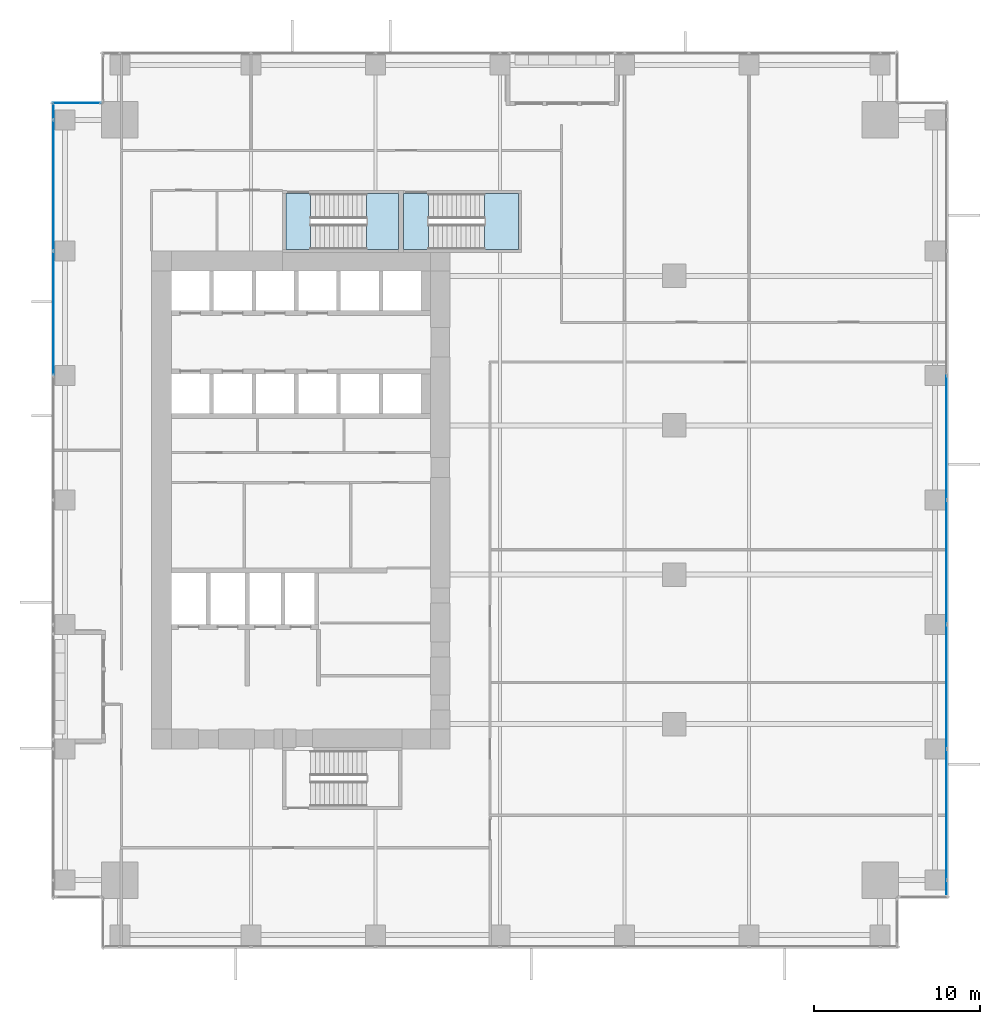
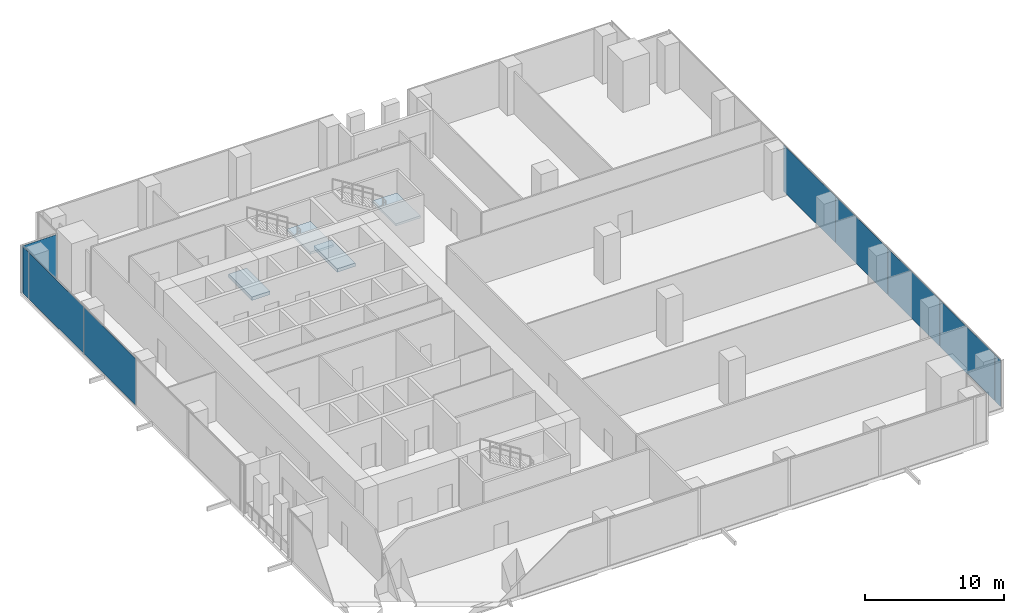
# One storey, part 24 of 33: 9 plates, 4 slabs, 5 elements without a shape of their own.
"""IFC4 building model written with IfcOpenShell, lengths in metres."""

from ifc_helpers import new_model, si_unit, direction, frame, origin, origin_2d, place, context, subcontext, project, spatial, polyline, rectangle, outline, extrude, source, transform, mapped, material, layer, layer_set, type_object, element, aggregate, save


model = new_model("IFC4")

# Units and contexts
model_context = context("Model", 3, precision=1e-05, world=origin(), true_north=direction((0.0, 1.0)))
body_context = subcontext(model_context, "Body", "Model", "MODEL_VIEW")
ifc_project = project(units=[si_unit("LENGTHUNIT", "METRE"), si_unit("AREAUNIT", "SQUARE_METRE"), si_unit("VOLUMEUNIT", "CUBIC_METRE"), si_unit("PLANEANGLEUNIT", "RADIAN"), si_unit("MASSUNIT", "GRAM", prefix="KILO")], contexts=[model_context])

# Site, building, storey
site_placement = place(None, origin())
site = spatial("IfcSite", under=ifc_project, at=site_placement, CompositionType="ELEMENT")
building_placement = place(site_placement, origin())
building = spatial("IfcBuilding", under=site, at=building_placement, Name="Khomas Fold Tower", CompositionType="ELEMENT")
storey_placement = place(building_placement, frame((0.0, 0.0, 55.5)))
storey = spatial("IfcBuildingStorey", under=building, at=storey_placement, Name="L11", CompositionType="ELEMENT", Elevation=55.5)

# Curtain wall, plate
ifc_material_1 = material(Name="Aluminium framed double glazing", Category="aluminium")
curtain_wall_type = type_object("IfcCurtainWallType", Name="SK-Unitised clear-glass wall, growing floors CW1", PredefinedType="NOTDEFINED", material=ifc_material_1)
curtain_wall_1_placement = place(storey_placement, origin())
curtain_wall_1 = element("IfcCurtainWall", 1, at=curtain_wall_1_placement, inside=storey, type_object=curtain_wall_type, Name="CW1 run L11 03-0", PredefinedType="NOTDEFINED")
ifc_material_2 = material(Name="Clear double glazed unit")
ifc_layer_1 = layer(ifc_material_2, 0.031982421875)
ifc_layer_set_1 = layer_set([ifc_layer_1], Name="Clear double glazed unit")
plate_type = type_object("IfcPlateType", Name="SK-Unitised clear-glass wall, growing floors glass panel CW1-P", PredefinedType="CURTAIN_PANEL", material=ifc_layer_set_1)
shared_shape_1 = source(origin(), body_context, "Body", "SweptSolid", [
    extrude(rectangle(XDim=0.81005859375, YDim=0.031982421875, at=origin_2d()), origin(), (0.0, 0.0, 1.0), 4.080078125),
])
plate_1_placement = place(storey_placement, frame((53.89990234375, 3.6650390625, 0.0), z_axis=(0.0, 0.0, 1.0), x_axis=(0.0, 1.0, 0.0)))
plate_1 = element("IfcPlate", 2, at=plate_1_placement, type_object=plate_type, Name="CW1 glass panel 1", PredefinedType="CURTAIN_PANEL", context=body_context, shape_type="MappedRepresentation", body=[
    mapped(shared_shape_1, transform((0.0, 0.0, 0.0))),
])

curtain_wall_2_placement = place(storey_placement, origin())
curtain_wall_2 = element("IfcCurtainWall", 3, at=curtain_wall_2_placement, inside=storey, type_object=curtain_wall_type, Name="CW1 run L11 09-0", PredefinedType="NOTDEFINED")
plate_2_placement = place(storey_placement, frame((0.10009765625, 50.3349609375, 0.0), z_axis=(0.0, 0.0, 1.0), x_axis=(0.0, -1.0, 0.0)))
plate_2 = element("IfcPlate", 4, at=plate_2_placement, type_object=plate_type, Name="CW1 glass panel 1", PredefinedType="CURTAIN_PANEL", context=body_context, shape_type="MappedRepresentation", body=[
    mapped(shared_shape_1, transform((0.0, 0.0, 0.0))),
])

# Plate
shared_shape_2 = source(origin(), body_context, "Body", "SweptSolid", [
    extrude(rectangle(XDim=7.840087890625, YDim=0.031982421875, at=origin_2d()), origin(), (0.0, 0.0, 1.0), 4.080078125),
])
plate_3_placement = place(storey_placement, frame((53.89990234375, 8.050048828125, 0.0), z_axis=(0.0, 0.0, 1.0), x_axis=(0.0, 1.0, 0.0)))
plate_3 = element("IfcPlate", 5, at=plate_3_placement, type_object=plate_type, Name="CW1 glass panel 2", PredefinedType="CURTAIN_PANEL", context=body_context, shape_type="MappedRepresentation", body=[
    mapped(shared_shape_2, transform((0.0, 0.0, 0.0))),
])

plate_4_placement = place(storey_placement, frame((0.10009765625, 45.949951171875, 0.0), z_axis=(0.0, 0.0, 1.0), x_axis=(0.0, -1.0, 0.0)))
plate_4 = element("IfcPlate", 6, at=plate_4_placement, type_object=plate_type, Name="CW1 glass panel 2", PredefinedType="CURTAIN_PANEL", context=body_context, shape_type="MappedRepresentation", body=[
    mapped(shared_shape_2, transform((0.0, 0.0, 0.0))),
])

shared_shape_3 = source(origin(), body_context, "Body", "SweptSolid", [
    extrude(rectangle(XDim=7.43994140625, YDim=0.031982421875, at=origin_2d()), origin(), (0.0, 0.0, 1.0), 4.080078125),
])
plate_5_placement = place(storey_placement, frame((53.89990234375, 15.75, 0.0), z_axis=(0.0, 0.0, 1.0), x_axis=(0.0, 1.0, 0.0)))
plate_5 = element("IfcPlate", 7, at=plate_5_placement, type_object=plate_type, Name="CW1 glass panel 3", PredefinedType="CURTAIN_PANEL", context=body_context, shape_type="MappedRepresentation", body=[
    mapped(shared_shape_3, transform((0.0, 0.0, 0.0))),
])

plate_6_placement = place(storey_placement, frame((53.89990234375, 23.25, 0.0), z_axis=(0.0, 0.0, 1.0), x_axis=(0.0, 1.0, 0.0)))
plate_6 = element("IfcPlate", 8, at=plate_6_placement, type_object=plate_type, Name="CW1 glass panel 4", PredefinedType="CURTAIN_PANEL", context=body_context, shape_type="MappedRepresentation", body=[
    mapped(shared_shape_3, transform((0.0, 0.0, 0.0))),
])

plate_7_placement = place(storey_placement, frame((53.89990234375, 30.75, 0.0), z_axis=(0.0, 0.0, 1.0), x_axis=(0.0, 1.0, 0.0)))
plate_7 = element("IfcPlate", 9, at=plate_7_placement, type_object=plate_type, Name="CW1 glass panel 5", PredefinedType="CURTAIN_PANEL", context=body_context, shape_type="MappedRepresentation", body=[
    mapped(shared_shape_3, transform((0.0, 0.0, 0.0))),
])

aggregate(curtain_wall_1, [plate_1, plate_3, plate_5, plate_6, plate_7])

plate_8_placement = place(storey_placement, frame((0.10009765625, 38.25, 0.0), z_axis=(0.0, 0.0, 1.0), x_axis=(0.0, -1.0, 0.0)))
plate_8 = element("IfcPlate", 10, at=plate_8_placement, type_object=plate_type, Name="CW1 glass panel 3", PredefinedType="CURTAIN_PANEL", context=body_context, shape_type="MappedRepresentation", body=[
    mapped(shared_shape_3, transform((0.0, 0.0, 0.0))),
])

aggregate(curtain_wall_2, [plate_2, plate_4, plate_8])

# Curtain wall, plate
curtain_wall_3_placement = place(storey_placement, origin())
curtain_wall_3 = element("IfcCurtainWall", 11, at=curtain_wall_3_placement, inside=storey, type_object=curtain_wall_type, Name="CW1 corner return L11 08", PredefinedType="NOTDEFINED")
shared_shape_4 = source(origin(), body_context, "Body", "SweptSolid", [
    extrude(rectangle(XDim=2.8798828125, YDim=0.031982421875, at=origin_2d()), origin(), (0.0, 0.0, 1.0), 4.080078125),
])
plate_9_placement = place(storey_placement, frame((1.5, 50.89990234375, 0.0), z_axis=(0.0, 0.0, 1.0), x_axis=(-1.0, 0.0, 0.0)))
plate_9 = element("IfcPlate", 12, at=plate_9_placement, type_object=plate_type, Name="CW1 glass panel 1", PredefinedType="CURTAIN_PANEL", context=body_context, shape_type="MappedRepresentation", body=[
    mapped(shared_shape_4, transform((0.0, 0.0, 0.0))),
])
aggregate(curtain_wall_3, [plate_9])

# Stair, slab
ifc_material_3 = material(Name="Concrete C40/50", Category="concrete")
stair_type_1 = type_object("IfcStairType", Name="Stair ST1", PredefinedType="HALF_TURN_STAIR", material=ifc_material_3)
stair_1_placement = place(storey_placement, origin())
stair_1 = element("IfcStair", 13, at=stair_1_placement, inside=storey, type_object=stair_type_1, Name="L11 ST1", PredefinedType="HALF_TURN_STAIR")
ifc_material_4 = material(Name="Concrete C40/50", Category="concrete")
ifc_layer_2 = layer(ifc_material_4, 0.199951171875)
ifc_layer_set_2 = layer_set([ifc_layer_2], Name="Concrete C40/50")
slab_type_1 = type_object("IfcSlabType", Name="Stair landing 200", PredefinedType="LANDING", material=ifc_layer_set_2)
shared_shape_5 = source(origin(), body_context, "Body", "SweptSolid", [
    extrude(outline(polyline([(18.9599609375, 42.10009765625), (20.89990234375, 42.10009765625), (20.89990234375, 45.449951171875), (18.9599609375, 45.449951171875), (18.9599609375, 42.10009765625)])), origin(), (0.0, 0.0, 1.0), 0.199951171875),
])
slab_1_placement = place(storey_placement, frame((0.0, 0.0, 2.050048828125)))
slab_1 = element("IfcSlab", 14, at=slab_1_placement, type_object=slab_type_1, Name="ST1 landing 1", PredefinedType="LANDING", context=body_context, shape_type="MappedRepresentation", body=[
    mapped(shared_shape_5, transform((0.0, 0.0, 0.0))),
])
aggregate(stair_1, [slab_1])

# Slab
ifc_material_5 = material(Name="Concrete C40/50", Category="concrete")
ifc_layer_3 = layer(ifc_material_5, 0.300048828125)
ifc_layer_set_3 = layer_set([ifc_layer_3], Name="Concrete C40/50")
slab_type_2 = type_object("IfcSlabType", Name="Stair floor landing 300", PredefinedType="LANDING", material=ifc_layer_set_3)
shared_shape_6 = source(origin(), body_context, "Body", "SweptSolid", [
    extrude(outline(polyline([(15.60009765625, 42.10009765625), (14.10009765625, 42.10009765625), (14.10009765625, 45.449951171875), (15.60009765625, 45.449951171875), (15.60009765625, 42.10009765625)])), origin(), (0.0, 0.0, 1.0), 0.300048828125),
])
slab_2_placement = place(storey_placement, frame((0.0, 0.0, -0.300048828125)))
element("IfcSlab", 15, at=slab_2_placement, inside=storey, type_object=slab_type_2, Name="ST1 floor landing", PredefinedType="LANDING", context=body_context, shape_type="MappedRepresentation", body=[
    mapped(shared_shape_6, transform((0.0, 0.0, 0.0))),
])

# Stair, slab
ifc_material_6 = material(Name="Concrete C40/50", Category="concrete")
stair_type_2 = type_object("IfcStairType", Name="Stair ST3", PredefinedType="HALF_TURN_STAIR", material=ifc_material_6)
stair_2_placement = place(storey_placement, origin())
stair_2 = element("IfcStair", 16, at=stair_2_placement, inside=storey, type_object=stair_type_2, Name="L11 ST3", PredefinedType="HALF_TURN_STAIR")
shared_shape_7 = source(origin(), body_context, "Body", "SweptSolid", [
    extrude(outline(polyline([(26.06005859375, 42.10009765625), (28.10009765625, 42.10009765625), (28.10009765625, 45.449951171875), (26.06005859375, 45.449951171875), (26.06005859375, 42.10009765625)])), origin(), (0.0, 0.0, 1.0), 0.199951171875),
])
slab_3_placement = place(storey_placement, frame((0.0, 0.0, 2.050048828125)))
slab_3 = element("IfcSlab", 17, at=slab_3_placement, type_object=slab_type_1, Name="ST3 landing 1", PredefinedType="LANDING", context=body_context, shape_type="MappedRepresentation", body=[
    mapped(shared_shape_7, transform((0.0, 0.0, 0.0))),
])
aggregate(stair_2, [slab_3])

# Slab
shared_shape_8 = source(origin(), body_context, "Body", "SweptSolid", [
    extrude(outline(polyline([(22.699951171875, 42.10009765625), (21.199951171875, 42.10009765625), (21.199951171875, 45.449951171875), (22.699951171875, 45.449951171875), (22.699951171875, 42.10009765625)])), origin(), (0.0, 0.0, 1.0), 0.300048828125),
])
slab_4_placement = place(storey_placement, frame((0.0, 0.0, -0.300048828125)))
element("IfcSlab", 18, at=slab_4_placement, inside=storey, type_object=slab_type_2, Name="ST3 floor landing", PredefinedType="LANDING", context=body_context, shape_type="MappedRepresentation", body=[
    mapped(shared_shape_8, transform((0.0, 0.0, 0.0))),
])

save(model, "model.ifc")
